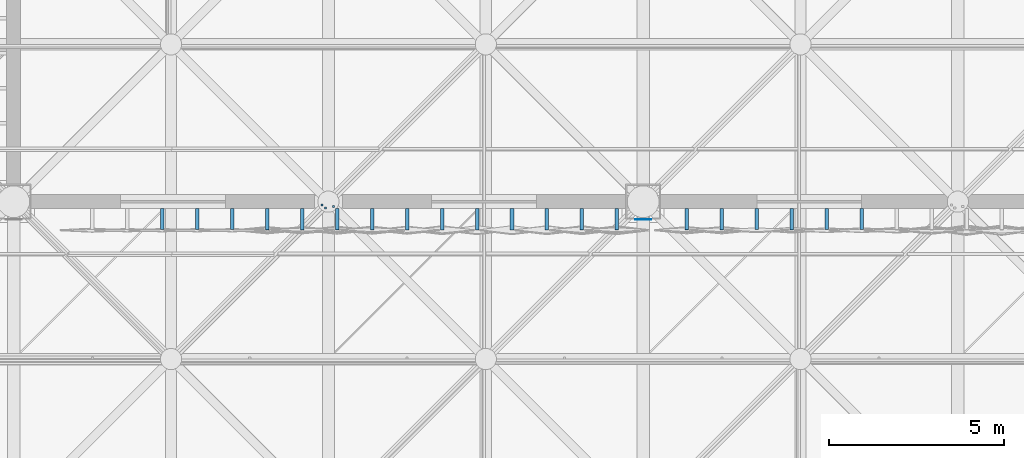
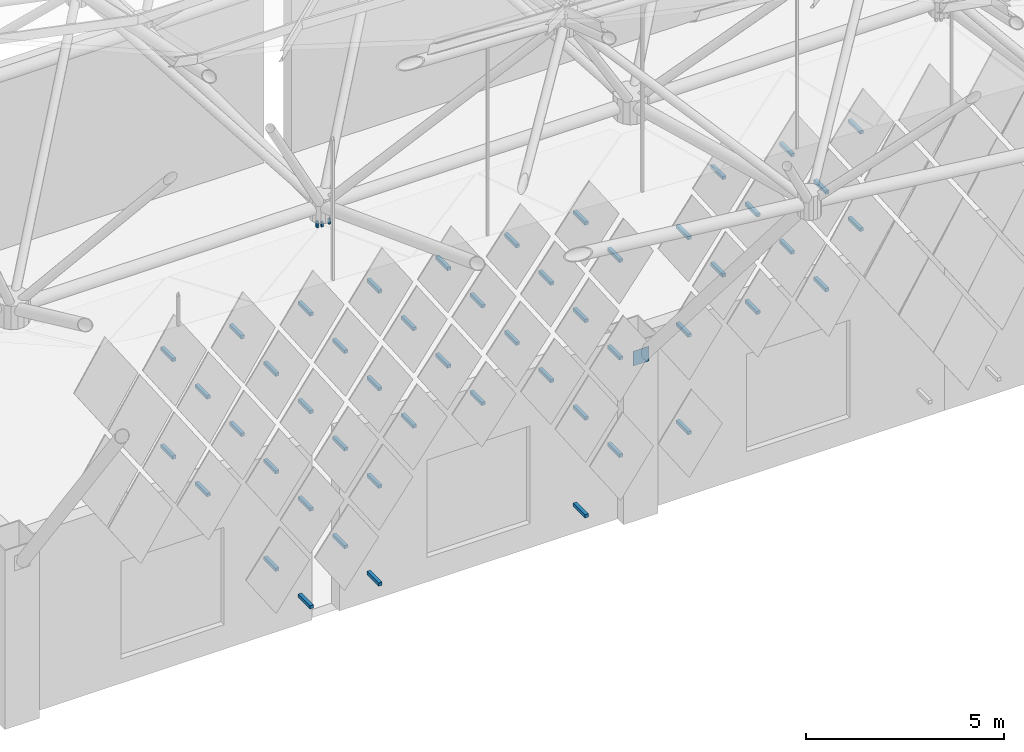
# One storey, part 349 of 437: 54 discrete accessories.
"""IFC4 building model written with IfcOpenShell, lengths in metres."""

from ifc_helpers import new_model, si_unit, direction, frame, origin, place, context, subcontext, project, spatial, polyline, outline, extrude, material, layer, layer_set, type_object, element, save


model = new_model("IFC4")

# Units and contexts
model_context = context("Model", 3, precision=1e-05, world=origin(), true_north=direction((0.0, 1.0)))
body_context = subcontext(model_context, "Body", "Model", "MODEL_VIEW")
ifc_project = project(units=[si_unit("LENGTHUNIT", "METRE"), si_unit("AREAUNIT", "SQUARE_METRE"), si_unit("VOLUMEUNIT", "CUBIC_METRE"), si_unit("PLANEANGLEUNIT", "RADIAN"), si_unit("MASSUNIT", "GRAM", prefix="KILO")], contexts=[model_context])

# Site, building, storey
site_placement = place(None, origin())
site = spatial("IfcSite", under=ifc_project, at=site_placement, CompositionType="ELEMENT")
building_placement = place(site_placement, origin())
building = spatial("IfcBuilding", under=site, at=building_placement, Name="Opaline Strait Convention Centre", CompositionType="ELEMENT")
storey_placement = place(building_placement, frame((0.0, 0.0, 11.5)))
storey = spatial("IfcBuildingStorey", under=building, at=storey_placement, Name="L02", CompositionType="ELEMENT", Elevation=11.5)

# Discrete accessories
ifc_material_1 = material(Name="Structural steel Q355B", Category="steel")
ifc_layer = layer(ifc_material_1, 0.01611328125)
ifc_layer_set = layer_set([ifc_layer], Name="Structural steel Q355B")
discrete_accessory_type_1 = type_object("IfcDiscreteAccessoryType", Name="Prop bearing plate 450 x 450 x 16", PredefinedType="ANCHORPLATE", material=ifc_layer_set)
discrete_accessory_1_placement = place(storey_placement, frame((0.0, 0.0, 4.793701171875)))
element("IfcDiscreteAccessory", 1, at=discrete_accessory_1_placement, inside=storey, type_object=discrete_accessory_type_1, Name="Prop bearing plate 117/54 S", PredefinedType="ANCHORPLATE", context=body_context, shape_type="SweptSolid", body=[
    extrude(outline(polyline([(116.77490234375, 53.48388671875), (117.22509765625, 53.48388671875), (117.22509765625, 53.5), (116.77490234375, 53.5), (116.77490234375, 53.48388671875)])), origin(), (0.0, 0.0, 1.0), 0.449951171875),
])
ifc_material_2 = material(Name="Steel Q355B", Category="steel")
discrete_accessory_type_2 = type_object("IfcDiscreteAccessoryType", Name="Soffit hanger 60x60 steel", PredefinedType="BRACKET", material=ifc_material_2)
discrete_accessory_2_placement = place(storey_placement, frame((0.0, 0.0, 11.986083984375)))
element("IfcDiscreteAccessory", 2, at=discrete_accessory_2_placement, inside=storey, type_object=discrete_accessory_type_2, Name="Soffit hanger", PredefinedType="BRACKET", context=body_context, shape_type="SweptSolid", body=[
    extrude(outline(polyline([(107.880859375, 53.791015625), (107.940673828125, 53.791015625), (107.940673828125, 53.85107421875), (107.880859375, 53.85107421875), (107.880859375, 53.791015625)])), origin(), (0.0, 0.0, 1.0), 0.15380859375),
])
discrete_accessory_3_placement = place(storey_placement, frame((0.0, 0.0, 11.93994140625)))
element("IfcDiscreteAccessory", 3, at=discrete_accessory_3_placement, inside=storey, type_object=discrete_accessory_type_2, Name="Soffit hanger", PredefinedType="BRACKET", context=body_context, shape_type="SweptSolid", body=[
    extrude(outline(polyline([(107.791015625, 53.880859375), (107.85107421875, 53.880859375), (107.85107421875, 53.940673828125), (107.791015625, 53.940673828125), (107.791015625, 53.880859375)])), origin(), (0.0, 0.0, 1.0), 0.199951171875),
])
discrete_accessory_4_placement = place(storey_placement, frame((0.0, 0.0, 11.967529296875)))
element("IfcDiscreteAccessory", 4, at=discrete_accessory_4_placement, inside=storey, type_object=discrete_accessory_type_2, Name="Soffit hanger", PredefinedType="BRACKET", context=body_context, shape_type="SweptSolid", body=[
    extrude(outline(polyline([(108.111328125, 53.82861328125), (108.17138671875, 53.82861328125), (108.17138671875, 53.888671875), (108.111328125, 53.888671875), (108.111328125, 53.82861328125)])), origin(), (0.0, 0.0, 1.0), 0.17236328125),
])
discrete_accessory_type_3 = type_object("IfcDiscreteAccessoryType", Name="Tile bracket 100x100 steel", PredefinedType="BRACKET", material=ifc_material_2)
for number, where, z_axis, x_axis, name in (
    (5, (107.199951171875, 53.800048828125, 0.89208984375), (1.0, 0.0, 0.0), (0.0, 1.0, 0.0), "Tile bracket XT08 S"),
    (6, (109.199951171875, 53.800048828125, 0.89208984375), (1.0, 0.0, 0.0), (0.0, 1.0, 0.0), "Tile bracket XT08 S"),
):
    element("IfcDiscreteAccessory", number, at=place(storey_placement, frame(where, z_axis=z_axis, x_axis=x_axis)), inside=storey, type_object=discrete_accessory_type_3, Name=name, PredefinedType="BRACKET", context=body_context, shape_type="SweptSolid", body=[
        extrude(outline(polyline([(0.0, -0.050048828125), (0.0, 0.050048828125), (-0.603515625, 0.050048828125), (-0.596435546875, -0.050048828125), (0.0, -0.050048828125)])), origin(), (0.0, 0.0, 1.0), 0.10009765625),
    ])
discrete_accessory_5_placement = place(storey_placement, frame((115.199951171875, 53.800048828125, 0.89208984375), z_axis=(1.0, 0.0, 0.0), x_axis=(0.0, 1.0, 0.0)))
element("IfcDiscreteAccessory", 7, at=discrete_accessory_5_placement, inside=storey, type_object=discrete_accessory_type_3, Name="Tile bracket XT03 S", PredefinedType="BRACKET", context=body_context, shape_type="SweptSolid", body=[
    extrude(outline(polyline([(0.0, -0.050048828125), (0.0, 0.050048828125), (-0.601318359375, 0.050048828125), (-0.5986328125, -0.050048828125), (0.0, -0.050048828125)])), origin(), (0.0, 0.0, 1.0), 0.10009765625),
])
discrete_accessory_6_placement = place(storey_placement, frame((106.199951171875, 53.800048828125, 2.39208984375), z_axis=(1.0, 0.0, 0.0), x_axis=(0.0, 1.0, 0.0)))
element("IfcDiscreteAccessory", 8, at=discrete_accessory_6_placement, inside=storey, type_object=discrete_accessory_type_3, Name="Tile bracket XT07 S", PredefinedType="BRACKET", context=body_context, shape_type="SweptSolid", body=[
    extrude(outline(polyline([(0.0, -0.050048828125), (0.0, 0.050048828125), (-0.60302734375, 0.050048828125), (-0.596923828125, -0.050048828125), (0.0, -0.050048828125)])), origin(), (0.0, 0.0, 1.0), 0.10009765625),
])
discrete_accessory_7_placement = place(storey_placement, frame((108.199951171875, 53.800048828125, 2.39208984375), z_axis=(1.0, 0.0, 0.0), x_axis=(0.0, 1.0, 0.0)))
element("IfcDiscreteAccessory", 9, at=discrete_accessory_7_placement, inside=storey, type_object=discrete_accessory_type_3, Name="Tile bracket XT08 S", PredefinedType="BRACKET", context=body_context, shape_type="SweptSolid", body=[
    extrude(outline(polyline([(0.0, -0.050048828125), (0.0, 0.050048828125), (-0.603515625, 0.050048828125), (-0.596435546875, -0.050048828125), (0.0, -0.050048828125)])), origin(), (0.0, 0.0, 1.0), 0.10009765625),
])
for number, where, z_axis, x_axis, name in (
    (10, (116.199951171875, 53.800048828125, 2.39208984375), (1.0, 0.0, 0.0), (0.0, 1.0, 0.0), "Tile bracket XT04 S"),
    (11, (118.199951171875, 53.800048828125, 2.39208984375), (1.0, 0.0, 0.0), (0.0, 1.0, 0.0), "Tile bracket XT04 S"),
):
    element("IfcDiscreteAccessory", number, at=place(storey_placement, frame(where, z_axis=z_axis, x_axis=x_axis)), inside=storey, type_object=discrete_accessory_type_3, Name=name, PredefinedType="BRACKET", context=body_context, shape_type="SweptSolid", body=[
        extrude(outline(polyline([(0.0, -0.050048828125), (0.0, 0.050048828125), (-0.601806640625, 0.050048828125), (-0.59814453125, -0.050048828125), (0.0, -0.050048828125)])), origin(), (0.0, 0.0, 1.0), 0.10009765625),
    ])
discrete_accessory_8_placement = place(storey_placement, frame((107.199951171875, 53.800048828125, 3.89208984375), z_axis=(1.0, 0.0, 0.0), x_axis=(0.0, 1.0, 0.0)))
element("IfcDiscreteAccessory", 12, at=discrete_accessory_8_placement, inside=storey, type_object=discrete_accessory_type_3, Name="Tile bracket XT07 S", PredefinedType="BRACKET", context=body_context, shape_type="SweptSolid", body=[
    extrude(outline(polyline([(0.0, -0.050048828125), (0.0, 0.050048828125), (-0.60302734375, 0.050048828125), (-0.596923828125, -0.050048828125), (0.0, -0.050048828125)])), origin(), (0.0, 0.0, 1.0), 0.10009765625),
])
discrete_accessory_9_placement = place(storey_placement, frame((109.199951171875, 53.800048828125, 3.89208984375), z_axis=(1.0, 0.0, 0.0), x_axis=(0.0, 1.0, 0.0)))
element("IfcDiscreteAccessory", 13, at=discrete_accessory_9_placement, inside=storey, type_object=discrete_accessory_type_3, Name="Tile bracket XT08 S", PredefinedType="BRACKET", context=body_context, shape_type="SweptSolid", body=[
    extrude(outline(polyline([(0.0, -0.050048828125), (0.0, 0.050048828125), (-0.603515625, 0.050048828125), (-0.596435546875, -0.050048828125), (0.0, -0.050048828125)])), origin(), (0.0, 0.0, 1.0), 0.10009765625),
])
discrete_accessory_10_placement = place(storey_placement, frame((115.199951171875, 53.800048828125, 3.89208984375), z_axis=(1.0, 0.0, 0.0), x_axis=(0.0, 1.0, 0.0)))
element("IfcDiscreteAccessory", 14, at=discrete_accessory_10_placement, inside=storey, type_object=discrete_accessory_type_3, Name="Tile bracket XT06 S", PredefinedType="BRACKET", context=body_context, shape_type="SweptSolid", body=[
    extrude(outline(polyline([(0.0, -0.050048828125), (0.0, 0.050048828125), (-0.6025390625, 0.050048828125), (-0.597412109375, -0.050048828125), (0.0, -0.050048828125)])), origin(), (0.0, 0.0, 1.0), 0.10009765625),
])
discrete_accessory_11_placement = place(storey_placement, frame((104.199951171875, 53.800048828125, 5.39208984375), z_axis=(1.0, 0.0, 0.0), x_axis=(0.0, 1.0, 0.0)))
element("IfcDiscreteAccessory", 15, at=discrete_accessory_11_placement, inside=storey, type_object=discrete_accessory_type_3, Name="Tile bracket XT02 S", PredefinedType="BRACKET", context=body_context, shape_type="SweptSolid", body=[
    extrude(outline(polyline([(0.0, -0.050048828125), (0.0, 0.050048828125), (-0.600830078125, 0.050048828125), (-0.59912109375, -0.050048828125), (0.0, -0.050048828125)])), origin(), (0.0, 0.0, 1.0), 0.10009765625),
])
discrete_accessory_12_placement = place(storey_placement, frame((106.199951171875, 53.800048828125, 5.39208984375), z_axis=(1.0, 0.0, 0.0), x_axis=(0.0, 1.0, 0.0)))
element("IfcDiscreteAccessory", 16, at=discrete_accessory_12_placement, inside=storey, type_object=discrete_accessory_type_3, Name="Tile bracket XT05 S", PredefinedType="BRACKET", context=body_context, shape_type="SweptSolid", body=[
    extrude(outline(polyline([(0.0, -0.050048828125), (0.0, 0.050048828125), (-0.602294921875, 0.050048828125), (-0.597900390625, -0.050048828125), (0.0, -0.050048828125)])), origin(), (0.0, 0.0, 1.0), 0.10009765625),
])
discrete_accessory_13_placement = place(storey_placement, frame((108.199951171875, 53.800048828125, 5.39208984375), z_axis=(1.0, 0.0, 0.0), x_axis=(0.0, 1.0, 0.0)))
element("IfcDiscreteAccessory", 17, at=discrete_accessory_13_placement, inside=storey, type_object=discrete_accessory_type_3, Name="Tile bracket XT07 S", PredefinedType="BRACKET", context=body_context, shape_type="SweptSolid", body=[
    extrude(outline(polyline([(0.0, -0.050048828125), (0.0, 0.050048828125), (-0.60302734375, 0.050048828125), (-0.596923828125, -0.050048828125), (0.0, -0.050048828125)])), origin(), (0.0, 0.0, 1.0), 0.10009765625),
])
discrete_accessory_14_placement = place(storey_placement, frame((110.199951171875, 53.800048828125, 5.39208984375), z_axis=(1.0, 0.0, 0.0), x_axis=(0.0, 1.0, 0.0)))
element("IfcDiscreteAccessory", 18, at=discrete_accessory_14_placement, inside=storey, type_object=discrete_accessory_type_3, Name="Tile bracket XT08 S", PredefinedType="BRACKET", context=body_context, shape_type="SweptSolid", body=[
    extrude(outline(polyline([(0.0, -0.050048828125), (0.0, 0.050048828125), (-0.603515625, 0.050048828125), (-0.596435546875, -0.050048828125), (0.0, -0.050048828125)])), origin(), (0.0, 0.0, 1.0), 0.10009765625),
])
discrete_accessory_15_placement = place(storey_placement, frame((112.199951171875, 53.800048828125, 5.39208984375), z_axis=(1.0, 0.0, 0.0), x_axis=(0.0, 1.0, 0.0)))
element("IfcDiscreteAccessory", 19, at=discrete_accessory_15_placement, inside=storey, type_object=discrete_accessory_type_3, Name="Tile bracket XT09 S", PredefinedType="BRACKET", context=body_context, shape_type="SweptSolid", body=[
    extrude(outline(polyline([(0.0, -0.050048828125), (0.0, 0.050048828125), (-0.60400390625, 0.050048828125), (-0.595947265625, -0.050048828125), (0.0, -0.050048828125)])), origin(), (0.0, 0.0, 1.0), 0.10009765625),
])
discrete_accessory_16_placement = place(storey_placement, frame((114.199951171875, 53.800048828125, 5.39208984375), z_axis=(1.0, 0.0, 0.0), x_axis=(0.0, 1.0, 0.0)))
element("IfcDiscreteAccessory", 20, at=discrete_accessory_16_placement, inside=storey, type_object=discrete_accessory_type_3, Name="Tile bracket XT08 S", PredefinedType="BRACKET", context=body_context, shape_type="SweptSolid", body=[
    extrude(outline(polyline([(0.0, -0.050048828125), (0.0, 0.050048828125), (-0.603515625, 0.050048828125), (-0.596435546875, -0.050048828125), (0.0, -0.050048828125)])), origin(), (0.0, 0.0, 1.0), 0.10009765625),
])
discrete_accessory_17_placement = place(storey_placement, frame((116.199951171875, 53.800048828125, 5.39208984375), z_axis=(1.0, 0.0, 0.0), x_axis=(0.0, 1.0, 0.0)))
element("IfcDiscreteAccessory", 21, at=discrete_accessory_17_placement, inside=storey, type_object=discrete_accessory_type_3, Name="Tile bracket XT07 S", PredefinedType="BRACKET", context=body_context, shape_type="SweptSolid", body=[
    extrude(outline(polyline([(0.0, -0.050048828125), (0.0, 0.050048828125), (-0.60302734375, 0.050048828125), (-0.596923828125, -0.050048828125), (0.0, -0.050048828125)])), origin(), (0.0, 0.0, 1.0), 0.10009765625),
])
for number, where, z_axis, x_axis, name in (
    (22, (118.199951171875, 53.800048828125, 5.39208984375), (1.0, 0.0, 0.0), (0.0, 1.0, 0.0), "Tile bracket XT04 S"),
    (23, (120.199951171875, 53.800048828125, 5.39208984375), (1.0, 0.0, 0.0), (0.0, 1.0, 0.0), "Tile bracket XT04 S"),
):
    element("IfcDiscreteAccessory", number, at=place(storey_placement, frame(where, z_axis=z_axis, x_axis=x_axis)), inside=storey, type_object=discrete_accessory_type_3, Name=name, PredefinedType="BRACKET", context=body_context, shape_type="SweptSolid", body=[
        extrude(outline(polyline([(0.0, -0.050048828125), (0.0, 0.050048828125), (-0.601806640625, 0.050048828125), (-0.59814453125, -0.050048828125), (0.0, -0.050048828125)])), origin(), (0.0, 0.0, 1.0), 0.10009765625),
    ])
discrete_accessory_18_placement = place(storey_placement, frame((122.199951171875, 53.800048828125, 5.39208984375), z_axis=(1.0, 0.0, 0.0), x_axis=(0.0, 1.0, 0.0)))
element("IfcDiscreteAccessory", 24, at=discrete_accessory_18_placement, inside=storey, type_object=discrete_accessory_type_3, Name="Tile bracket XT04 S", PredefinedType="BRACKET", context=body_context, shape_type="SweptSolid", body=[
    extrude(outline(polyline([(0.0, -0.050048828125), (0.0, 0.050048828125), (-0.59814453125, 0.050048828125), (-0.601806640625, -0.050048828125), (0.0, -0.050048828125)])), origin(), (0.0, 0.0, 1.0), 0.10009765625),
])
discrete_accessory_19_placement = place(storey_placement, frame((103.199951171875, 53.800048828125, 6.89208984375), z_axis=(1.0, 0.0, 0.0), x_axis=(0.0, 1.0, 0.0)))
element("IfcDiscreteAccessory", 25, at=discrete_accessory_19_placement, inside=storey, type_object=discrete_accessory_type_3, Name="Tile bracket XT02 S", PredefinedType="BRACKET", context=body_context, shape_type="SweptSolid", body=[
    extrude(outline(polyline([(0.0, -0.050048828125), (0.0, 0.050048828125), (-0.59912109375, 0.050048828125), (-0.600830078125, -0.050048828125), (0.0, -0.050048828125)])), origin(), (0.0, 0.0, 1.0), 0.10009765625),
])
discrete_accessory_20_placement = place(storey_placement, frame((105.199951171875, 53.800048828125, 6.89208984375), z_axis=(1.0, 0.0, 0.0), x_axis=(0.0, 1.0, 0.0)))
element("IfcDiscreteAccessory", 26, at=discrete_accessory_20_placement, inside=storey, type_object=discrete_accessory_type_3, Name="Tile bracket XT02 S", PredefinedType="BRACKET", context=body_context, shape_type="SweptSolid", body=[
    extrude(outline(polyline([(0.0, -0.050048828125), (0.0, 0.050048828125), (-0.600830078125, 0.050048828125), (-0.59912109375, -0.050048828125), (0.0, -0.050048828125)])), origin(), (0.0, 0.0, 1.0), 0.10009765625),
])
discrete_accessory_21_placement = place(storey_placement, frame((107.199951171875, 53.800048828125, 6.89208984375), z_axis=(1.0, 0.0, 0.0), x_axis=(0.0, 1.0, 0.0)))
element("IfcDiscreteAccessory", 27, at=discrete_accessory_21_placement, inside=storey, type_object=discrete_accessory_type_3, Name="Tile bracket XT05 S", PredefinedType="BRACKET", context=body_context, shape_type="SweptSolid", body=[
    extrude(outline(polyline([(0.0, -0.050048828125), (0.0, 0.050048828125), (-0.602294921875, 0.050048828125), (-0.597900390625, -0.050048828125), (0.0, -0.050048828125)])), origin(), (0.0, 0.0, 1.0), 0.10009765625),
])
discrete_accessory_22_placement = place(storey_placement, frame((109.199951171875, 53.800048828125, 6.89208984375), z_axis=(1.0, 0.0, 0.0), x_axis=(0.0, 1.0, 0.0)))
element("IfcDiscreteAccessory", 28, at=discrete_accessory_22_placement, inside=storey, type_object=discrete_accessory_type_3, Name="Tile bracket XT07 S", PredefinedType="BRACKET", context=body_context, shape_type="SweptSolid", body=[
    extrude(outline(polyline([(0.0, -0.050048828125), (0.0, 0.050048828125), (-0.60302734375, 0.050048828125), (-0.596923828125, -0.050048828125), (0.0, -0.050048828125)])), origin(), (0.0, 0.0, 1.0), 0.10009765625),
])
for number, where, z_axis, x_axis, name in (
    (29, (111.199951171875, 53.800048828125, 6.89208984375), (1.0, 0.0, 0.0), (0.0, 1.0, 0.0), "Tile bracket XT09 S"),
    (30, (113.199951171875, 53.800048828125, 6.89208984375), (1.0, 0.0, 0.0), (0.0, 1.0, 0.0), "Tile bracket XT09 S"),
):
    element("IfcDiscreteAccessory", number, at=place(storey_placement, frame(where, z_axis=z_axis, x_axis=x_axis)), inside=storey, type_object=discrete_accessory_type_3, Name=name, PredefinedType="BRACKET", context=body_context, shape_type="SweptSolid", body=[
        extrude(outline(polyline([(0.0, -0.050048828125), (0.0, 0.050048828125), (-0.60400390625, 0.050048828125), (-0.595947265625, -0.050048828125), (0.0, -0.050048828125)])), origin(), (0.0, 0.0, 1.0), 0.10009765625),
    ])
discrete_accessory_23_placement = place(storey_placement, frame((115.199951171875, 53.800048828125, 6.89208984375), z_axis=(1.0, 0.0, 0.0), x_axis=(0.0, 1.0, 0.0)))
element("IfcDiscreteAccessory", 31, at=discrete_accessory_23_placement, inside=storey, type_object=discrete_accessory_type_3, Name="Tile bracket XT08 S", PredefinedType="BRACKET", context=body_context, shape_type="SweptSolid", body=[
    extrude(outline(polyline([(0.0, -0.050048828125), (0.0, 0.050048828125), (-0.603515625, 0.050048828125), (-0.596435546875, -0.050048828125), (0.0, -0.050048828125)])), origin(), (0.0, 0.0, 1.0), 0.10009765625),
])
for number, where, z_axis, x_axis, name in (
    (32, (119.199951171875, 53.800048828125, 6.89208984375), (1.0, 0.0, 0.0), (0.0, 1.0, 0.0), "Tile bracket XT04 S"),
    (33, (121.199951171875, 53.800048828125, 6.89208984375), (1.0, 0.0, 0.0), (0.0, 1.0, 0.0), "Tile bracket XT04 S"),
):
    element("IfcDiscreteAccessory", number, at=place(storey_placement, frame(where, z_axis=z_axis, x_axis=x_axis)), inside=storey, type_object=discrete_accessory_type_3, Name=name, PredefinedType="BRACKET", context=body_context, shape_type="SweptSolid", body=[
        extrude(outline(polyline([(0.0, -0.050048828125), (0.0, 0.050048828125), (-0.601806640625, 0.050048828125), (-0.59814453125, -0.050048828125), (0.0, -0.050048828125)])), origin(), (0.0, 0.0, 1.0), 0.10009765625),
    ])
discrete_accessory_24_placement = place(storey_placement, frame((123.199951171875, 53.800048828125, 6.89208984375), z_axis=(1.0, 0.0, 0.0), x_axis=(0.0, 1.0, 0.0)))
element("IfcDiscreteAccessory", 34, at=discrete_accessory_24_placement, inside=storey, type_object=discrete_accessory_type_3, Name="Tile bracket XT04 S", PredefinedType="BRACKET", context=body_context, shape_type="SweptSolid", body=[
    extrude(outline(polyline([(0.0, -0.050048828125), (0.0, 0.050048828125), (-0.59814453125, 0.050048828125), (-0.601806640625, -0.050048828125), (0.0, -0.050048828125)])), origin(), (0.0, 0.0, 1.0), 0.10009765625),
])
discrete_accessory_25_placement = place(storey_placement, frame((104.199951171875, 53.800048828125, 8.39208984375), z_axis=(1.0, 0.0, 0.0), x_axis=(0.0, 1.0, 0.0)))
element("IfcDiscreteAccessory", 35, at=discrete_accessory_25_placement, inside=storey, type_object=discrete_accessory_type_3, Name="Tile bracket XT02 S", PredefinedType="BRACKET", context=body_context, shape_type="SweptSolid", body=[
    extrude(outline(polyline([(0.0, -0.050048828125), (0.0, 0.050048828125), (-0.59912109375, 0.050048828125), (-0.600830078125, -0.050048828125), (0.0, -0.050048828125)])), origin(), (0.0, 0.0, 1.0), 0.10009765625),
])
discrete_accessory_26_placement = place(storey_placement, frame((106.199951171875, 53.800048828125, 8.39208984375), z_axis=(1.0, 0.0, 0.0), x_axis=(0.0, 1.0, 0.0)))
element("IfcDiscreteAccessory", 36, at=discrete_accessory_26_placement, inside=storey, type_object=discrete_accessory_type_3, Name="Tile bracket XT03 S", PredefinedType="BRACKET", context=body_context, shape_type="SweptSolid", body=[
    extrude(outline(polyline([(0.0, -0.050048828125), (0.0, 0.050048828125), (-0.601318359375, 0.050048828125), (-0.5986328125, -0.050048828125), (0.0, -0.050048828125)])), origin(), (0.0, 0.0, 1.0), 0.10009765625),
])
discrete_accessory_27_placement = place(storey_placement, frame((108.199951171875, 53.800048828125, 8.39208984375), z_axis=(1.0, 0.0, 0.0), x_axis=(0.0, 1.0, 0.0)))
element("IfcDiscreteAccessory", 37, at=discrete_accessory_27_placement, inside=storey, type_object=discrete_accessory_type_3, Name="Tile bracket XT04 S", PredefinedType="BRACKET", context=body_context, shape_type="SweptSolid", body=[
    extrude(outline(polyline([(0.0, -0.050048828125), (0.0, 0.050048828125), (-0.601806640625, 0.050048828125), (-0.59814453125, -0.050048828125), (0.0, -0.050048828125)])), origin(), (0.0, 0.0, 1.0), 0.10009765625),
])
discrete_accessory_28_placement = place(storey_placement, frame((110.199951171875, 53.800048828125, 8.39208984375), z_axis=(1.0, 0.0, 0.0), x_axis=(0.0, 1.0, 0.0)))
element("IfcDiscreteAccessory", 38, at=discrete_accessory_28_placement, inside=storey, type_object=discrete_accessory_type_3, Name="Tile bracket XT06 S", PredefinedType="BRACKET", context=body_context, shape_type="SweptSolid", body=[
    extrude(outline(polyline([(0.0, -0.050048828125), (0.0, 0.050048828125), (-0.6025390625, 0.050048828125), (-0.597412109375, -0.050048828125), (0.0, -0.050048828125)])), origin(), (0.0, 0.0, 1.0), 0.10009765625),
])
for number, where, z_axis, x_axis, name in (
    (39, (112.199951171875, 53.800048828125, 8.39208984375), (1.0, 0.0, 0.0), (0.0, 1.0, 0.0), "Tile bracket XT09 S"),
    (40, (114.199951171875, 53.800048828125, 8.39208984375), (1.0, 0.0, 0.0), (0.0, 1.0, 0.0), "Tile bracket XT09 S"),
    (41, (116.199951171875, 53.800048828125, 8.39208984375), (1.0, 0.0, 0.0), (0.0, 1.0, 0.0), "Tile bracket XT09 S"),
):
    element("IfcDiscreteAccessory", number, at=place(storey_placement, frame(where, z_axis=z_axis, x_axis=x_axis)), inside=storey, type_object=discrete_accessory_type_3, Name=name, PredefinedType="BRACKET", context=body_context, shape_type="SweptSolid", body=[
        extrude(outline(polyline([(0.0, -0.050048828125), (0.0, 0.050048828125), (-0.60400390625, 0.050048828125), (-0.595947265625, -0.050048828125), (0.0, -0.050048828125)])), origin(), (0.0, 0.0, 1.0), 0.10009765625),
    ])
discrete_accessory_29_placement = place(storey_placement, frame((118.199951171875, 53.800048828125, 8.39208984375), z_axis=(1.0, 0.0, 0.0), x_axis=(0.0, 1.0, 0.0)))
element("IfcDiscreteAccessory", 42, at=discrete_accessory_29_placement, inside=storey, type_object=discrete_accessory_type_3, Name="Tile bracket XT07 S", PredefinedType="BRACKET", context=body_context, shape_type="SweptSolid", body=[
    extrude(outline(polyline([(0.0, -0.050048828125), (0.0, 0.050048828125), (-0.60302734375, 0.050048828125), (-0.596923828125, -0.050048828125), (0.0, -0.050048828125)])), origin(), (0.0, 0.0, 1.0), 0.10009765625),
])
for number, where, z_axis, x_axis, name in (
    (43, (120.199951171875, 53.800048828125, 8.39208984375), (1.0, 0.0, 0.0), (0.0, 1.0, 0.0), "Tile bracket XT04 S"),
    (44, (122.199951171875, 53.800048828125, 8.39208984375), (1.0, 0.0, 0.0), (0.0, 1.0, 0.0), "Tile bracket XT04 S"),
):
    element("IfcDiscreteAccessory", number, at=place(storey_placement, frame(where, z_axis=z_axis, x_axis=x_axis)), inside=storey, type_object=discrete_accessory_type_3, Name=name, PredefinedType="BRACKET", context=body_context, shape_type="SweptSolid", body=[
        extrude(outline(polyline([(0.0, -0.050048828125), (0.0, 0.050048828125), (-0.601806640625, 0.050048828125), (-0.59814453125, -0.050048828125), (0.0, -0.050048828125)])), origin(), (0.0, 0.0, 1.0), 0.10009765625),
    ])
discrete_accessory_30_placement = place(storey_placement, frame((103.199951171875, 53.800048828125, 9.89208984375), z_axis=(1.0, 0.0, 0.0), x_axis=(0.0, 1.0, 0.0)))
element("IfcDiscreteAccessory", 45, at=discrete_accessory_30_placement, inside=storey, type_object=discrete_accessory_type_3, Name="Tile bracket XT03 S", PredefinedType="BRACKET", context=body_context, shape_type="SweptSolid", body=[
    extrude(outline(polyline([(0.0, -0.050048828125), (0.0, 0.050048828125), (-0.5986328125, 0.050048828125), (-0.601318359375, -0.050048828125), (0.0, -0.050048828125)])), origin(), (0.0, 0.0, 1.0), 0.10009765625),
])
discrete_accessory_31_placement = place(storey_placement, frame((105.199951171875, 53.800048828125, 9.89208984375), z_axis=(1.0, 0.0, 0.0), x_axis=(0.0, 1.0, 0.0)))
element("IfcDiscreteAccessory", 46, at=discrete_accessory_31_placement, inside=storey, type_object=discrete_accessory_type_3, Name="Tile bracket XT02 S", PredefinedType="BRACKET", context=body_context, shape_type="SweptSolid", body=[
    extrude(outline(polyline([(0.0, -0.050048828125), (0.0, 0.050048828125), (-0.59912109375, 0.050048828125), (-0.600830078125, -0.050048828125), (0.0, -0.050048828125)])), origin(), (0.0, 0.0, 1.0), 0.10009765625),
])
discrete_accessory_32_placement = place(storey_placement, frame((107.199951171875, 53.800048828125, 9.89208984375), z_axis=(1.0, 0.0, 0.0), x_axis=(0.0, 1.0, 0.0)))
element("IfcDiscreteAccessory", 47, at=discrete_accessory_32_placement, inside=storey, type_object=discrete_accessory_type_3, Name="Tile bracket XT03 S", PredefinedType="BRACKET", context=body_context, shape_type="SweptSolid", body=[
    extrude(outline(polyline([(0.0, -0.050048828125), (0.0, 0.050048828125), (-0.601318359375, 0.050048828125), (-0.5986328125, -0.050048828125), (0.0, -0.050048828125)])), origin(), (0.0, 0.0, 1.0), 0.10009765625),
])
discrete_accessory_33_placement = place(storey_placement, frame((109.199951171875, 53.800048828125, 9.89208984375), z_axis=(1.0, 0.0, 0.0), x_axis=(0.0, 1.0, 0.0)))
element("IfcDiscreteAccessory", 48, at=discrete_accessory_33_placement, inside=storey, type_object=discrete_accessory_type_3, Name="Tile bracket XT04 S", PredefinedType="BRACKET", context=body_context, shape_type="SweptSolid", body=[
    extrude(outline(polyline([(0.0, -0.050048828125), (0.0, 0.050048828125), (-0.601806640625, 0.050048828125), (-0.59814453125, -0.050048828125), (0.0, -0.050048828125)])), origin(), (0.0, 0.0, 1.0), 0.10009765625),
])
discrete_accessory_34_placement = place(storey_placement, frame((111.199951171875, 53.800048828125, 9.89208984375), z_axis=(1.0, 0.0, 0.0), x_axis=(0.0, 1.0, 0.0)))
element("IfcDiscreteAccessory", 49, at=discrete_accessory_34_placement, inside=storey, type_object=discrete_accessory_type_3, Name="Tile bracket XT07 S", PredefinedType="BRACKET", context=body_context, shape_type="SweptSolid", body=[
    extrude(outline(polyline([(0.0, -0.050048828125), (0.0, 0.050048828125), (-0.60302734375, 0.050048828125), (-0.596923828125, -0.050048828125), (0.0, -0.050048828125)])), origin(), (0.0, 0.0, 1.0), 0.10009765625),
])
for number, where, z_axis, x_axis, name in (
    (50, (113.199951171875, 53.800048828125, 9.89208984375), (1.0, 0.0, 0.0), (0.0, 1.0, 0.0), "Tile bracket XT09 S"),
    (51, (115.199951171875, 53.800048828125, 9.89208984375), (1.0, 0.0, 0.0), (0.0, 1.0, 0.0), "Tile bracket XT09 S"),
):
    element("IfcDiscreteAccessory", number, at=place(storey_placement, frame(where, z_axis=z_axis, x_axis=x_axis)), inside=storey, type_object=discrete_accessory_type_3, Name=name, PredefinedType="BRACKET", context=body_context, shape_type="SweptSolid", body=[
        extrude(outline(polyline([(0.0, -0.050048828125), (0.0, 0.050048828125), (-0.60400390625, 0.050048828125), (-0.595947265625, -0.050048828125), (0.0, -0.050048828125)])), origin(), (0.0, 0.0, 1.0), 0.10009765625),
    ])
discrete_accessory_35_placement = place(storey_placement, frame((119.199951171875, 53.800048828125, 9.89208984375), z_axis=(1.0, 0.0, 0.0), x_axis=(0.0, 1.0, 0.0)))
element("IfcDiscreteAccessory", 52, at=discrete_accessory_35_placement, inside=storey, type_object=discrete_accessory_type_3, Name="Tile bracket XT07 S", PredefinedType="BRACKET", context=body_context, shape_type="SweptSolid", body=[
    extrude(outline(polyline([(0.0, -0.050048828125), (0.0, 0.050048828125), (-0.60302734375, 0.050048828125), (-0.596923828125, -0.050048828125), (0.0, -0.050048828125)])), origin(), (0.0, 0.0, 1.0), 0.10009765625),
])
discrete_accessory_36_placement = place(storey_placement, frame((121.199951171875, 53.800048828125, 9.89208984375), z_axis=(1.0, 0.0, 0.0), x_axis=(0.0, 1.0, 0.0)))
element("IfcDiscreteAccessory", 53, at=discrete_accessory_36_placement, inside=storey, type_object=discrete_accessory_type_3, Name="Tile bracket XT05 S", PredefinedType="BRACKET", context=body_context, shape_type="SweptSolid", body=[
    extrude(outline(polyline([(0.0, -0.050048828125), (0.0, 0.050048828125), (-0.602294921875, 0.050048828125), (-0.597900390625, -0.050048828125), (0.0, -0.050048828125)])), origin(), (0.0, 0.0, 1.0), 0.10009765625),
])
discrete_accessory_37_placement = place(storey_placement, frame((123.199951171875, 53.800048828125, 9.89208984375), z_axis=(1.0, 0.0, 0.0), x_axis=(0.0, 1.0, 0.0)))
element("IfcDiscreteAccessory", 54, at=discrete_accessory_37_placement, inside=storey, type_object=discrete_accessory_type_3, Name="Tile bracket XT04 S", PredefinedType="BRACKET", context=body_context, shape_type="SweptSolid", body=[
    extrude(outline(polyline([(0.0, -0.050048828125), (0.0, 0.050048828125), (-0.601806640625, 0.050048828125), (-0.59814453125, -0.050048828125), (0.0, -0.050048828125)])), origin(), (0.0, 0.0, 1.0), 0.10009765625),
])

save(model, "model.ifc")
